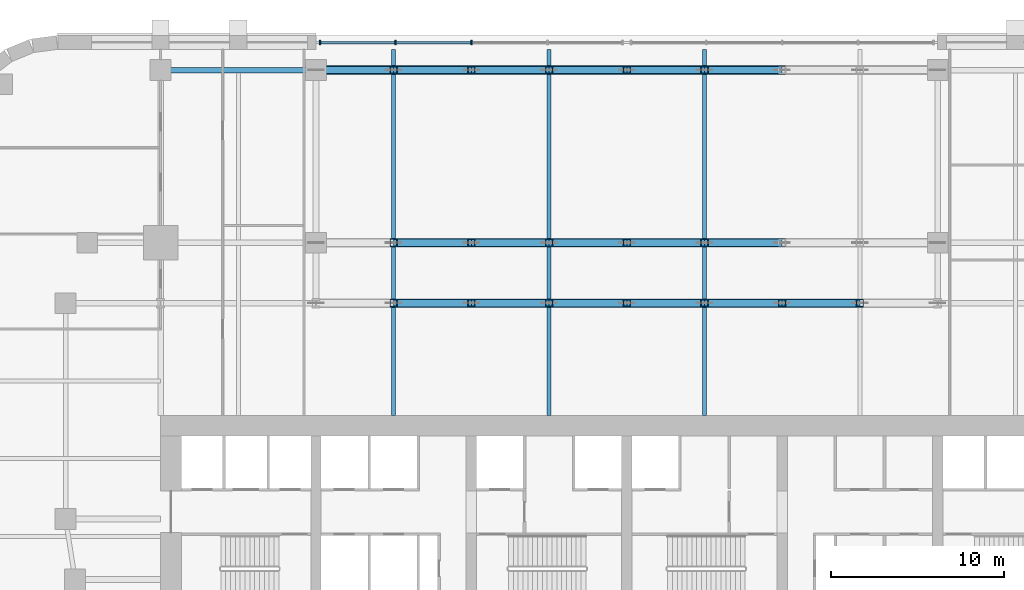
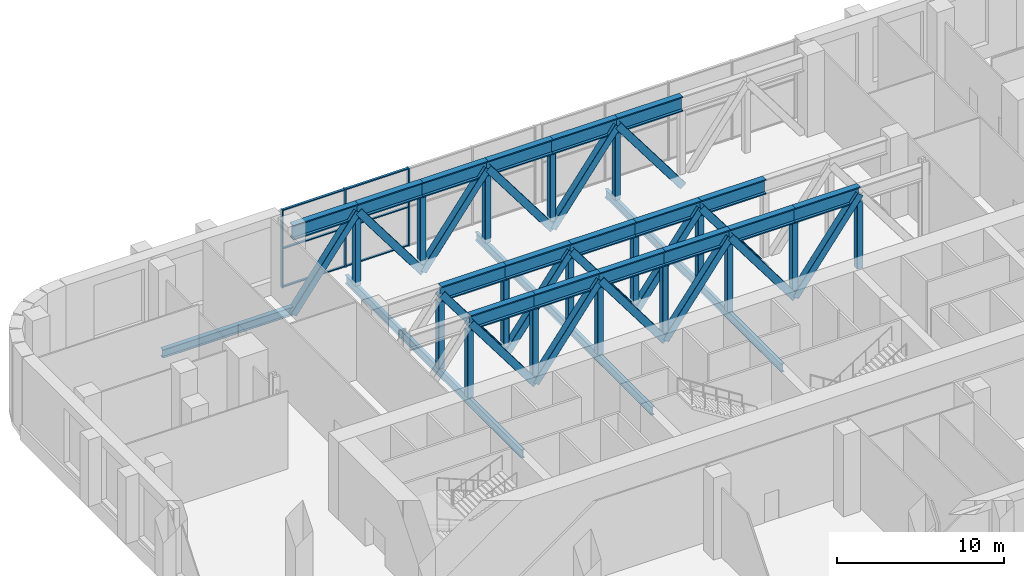
# One storey, part 2 of 13: 60 members, 4 beams, 1 element without a shape of its own.
"""IFC4 building model written with IfcOpenShell, lengths in metres."""

from ifc_helpers import new_model, si_unit, direction, frame, origin, origin_2d, place, context, subcontext, project, spatial, rectangle, hollow_rectangle, i_section, extrude, material, material_profile, profile_set, type_object, element, aggregate, save


model = new_model("IFC4")

# Units and contexts
model_context = context("Model", 3, precision=1e-05, world=origin(), true_north=direction((0.0, 1.0)))
body_context = subcontext(model_context, "Body", "Model", "MODEL_VIEW")
ifc_project = project(units=[si_unit("LENGTHUNIT", "METRE"), si_unit("AREAUNIT", "SQUARE_METRE"), si_unit("VOLUMEUNIT", "CUBIC_METRE"), si_unit("PLANEANGLEUNIT", "RADIAN"), si_unit("MASSUNIT", "GRAM", prefix="KILO")], contexts=[model_context])

# Site, building, storey
site_placement = place(None, origin())
site = spatial("IfcSite", under=ifc_project, at=site_placement, CompositionType="ELEMENT")
building_placement = place(site_placement, origin())
building = spatial("IfcBuilding", under=site, at=building_placement, Name="Zellij Exchange Tower", CompositionType="ELEMENT")
storey_placement = place(building_placement, frame((0.0, 0.0, 27.0)))
storey = spatial("IfcBuildingStorey", under=building, at=storey_placement, Name="L04", CompositionType="ELEMENT", Elevation=27.0)

# Curtain wall, members
ifc_material_1 = material(Name="Aluminium frame, clear insulating glass", Category="aluminium")
curtain_wall_type = type_object("IfcCurtainWallType", Name="ENV-CW3 Exchange-hall glazing", PredefinedType="NOTDEFINED", material=ifc_material_1)
curtain_wall_placement = place(storey_placement, origin())
curtain_wall = element("IfcCurtainWall", 1, at=curtain_wall_placement, inside=storey, type_object=curtain_wall_type, Name="cw.L04.14c", PredefinedType="NOTDEFINED")
ifc_material_2 = material(Name="Aluminium", Category="aluminium")
ifc_material_profile_1 = material_profile(ifc_material_2, rectangle(XDim=0.080078125, YDim=0.25, at=origin_2d()), Name="AL 80x250")
ifc_profile_set_1 = profile_set([ifc_material_profile_1], Name="Aluminium")
member_type_1 = type_object("IfcMemberType", Name="ENV-CW3M Mullion 80x250", PredefinedType="MULLION", material=ifc_profile_set_1)
member_1_placement = place(storey_placement, frame((-9.0, 19.60009765625, 0.0), z_axis=(0.0, 0.0, 1.0), x_axis=(-1.0, 0.0, 0.0)))
member_1 = element("IfcMember", 2, at=member_1_placement, type_object=member_type_1, Name="CW3 mullion 3", PredefinedType="MULLION", context=body_context, shape_type="SweptSolid", body=[
    extrude(rectangle(XDim=0.080078125, YDim=0.25, at=origin_2d()), origin(), (0.0, 0.0, 1.0), 5.699951171875),
])
member_2_placement = place(storey_placement, frame((-13.39990234375, 19.60009765625, 0.0), z_axis=(0.0, 0.0, 1.0), x_axis=(-1.0, 0.0, 0.0)))
member_2 = element("IfcMember", 3, at=member_2_placement, type_object=member_type_1, Name="CW3 mullion 4", PredefinedType="MULLION", context=body_context, shape_type="SweptSolid", body=[
    extrude(rectangle(XDim=0.080078125, YDim=0.25, at=origin_2d()), origin(), (0.0, 0.0, 1.0), 5.699951171875),
])
member_3_placement = place(storey_placement, frame((-17.760009765625, 19.60009765625, 0.0), z_axis=(0.0, 0.0, 1.0), x_axis=(-1.0, 0.0, 0.0)))
member_3 = element("IfcMember", 4, at=member_3_placement, type_object=member_type_1, Name="CW3 mullion 5", PredefinedType="MULLION", context=body_context, shape_type="SweptSolid", body=[
    extrude(rectangle(XDim=0.080078125, YDim=0.25, at=origin_2d()), origin(), (0.0, 0.0, 1.0), 5.699951171875),
])
ifc_material_profile_2 = material_profile(ifc_material_2, rectangle(XDim=0.159912109375, YDim=0.080078125, at=origin_2d()), Name="AL 160x80")
ifc_profile_set_2 = profile_set([ifc_material_profile_2], Name="Aluminium")
member_type_2 = type_object("IfcMemberType", Name="ENV-CW3T Transom 160x80", PredefinedType="USERDEFINED", material=ifc_profile_set_2)
member_4_placement = place(storey_placement, frame((-9.0400390625, 19.60009765625, 0.0400390625), z_axis=(-1.0, 0.0, 0.0), x_axis=(0.0, -1.0, 0.0)))
member_4 = element("IfcMember", 5, at=member_4_placement, type_object=member_type_2, Name="CW3 transom 3.1", ObjectType="TRANSOM", PredefinedType="USERDEFINED", context=body_context, shape_type="SweptSolid", body=[
    extrude(rectangle(XDim=0.159912109375, YDim=0.080078125, at=origin_2d()), origin(), (0.0, 0.0, 1.0), 4.320068359375),
])
member_5_placement = place(storey_placement, frame((-9.0400390625, 19.60009765625, 2.85009765625), z_axis=(-1.0, 0.0, 0.0), x_axis=(0.0, -1.0, 0.0)))
member_5 = element("IfcMember", 6, at=member_5_placement, type_object=member_type_2, Name="CW3 transom 3.2", ObjectType="TRANSOM", PredefinedType="USERDEFINED", context=body_context, shape_type="SweptSolid", body=[
    extrude(rectangle(XDim=0.159912109375, YDim=0.080078125, at=origin_2d()), origin(), (0.0, 0.0, 1.0), 4.320068359375),
])
member_6_placement = place(storey_placement, frame((-9.0400390625, 19.60009765625, 5.659912109375), z_axis=(-1.0, 0.0, 0.0), x_axis=(0.0, -1.0, 0.0)))
member_6 = element("IfcMember", 7, at=member_6_placement, type_object=member_type_2, Name="CW3 transom 3.3", ObjectType="TRANSOM", PredefinedType="USERDEFINED", context=body_context, shape_type="SweptSolid", body=[
    extrude(rectangle(XDim=0.159912109375, YDim=0.080078125, at=origin_2d()), origin(), (0.0, 0.0, 1.0), 4.320068359375),
])
member_7_placement = place(storey_placement, frame((-13.43994140625, 19.60009765625, 0.0400390625), z_axis=(-1.0, 0.0, 0.0), x_axis=(0.0, -1.0, 0.0)))
member_7 = element("IfcMember", 8, at=member_7_placement, type_object=member_type_2, Name="CW3 transom 4.1", ObjectType="TRANSOM", PredefinedType="USERDEFINED", context=body_context, shape_type="SweptSolid", body=[
    extrude(rectangle(XDim=0.159912109375, YDim=0.080078125, at=origin_2d()), origin(), (0.0, 0.0, 1.0), 4.280029296875),
])
member_8_placement = place(storey_placement, frame((-13.43994140625, 19.60009765625, 2.85009765625), z_axis=(-1.0, 0.0, 0.0), x_axis=(0.0, -1.0, 0.0)))
member_8 = element("IfcMember", 9, at=member_8_placement, type_object=member_type_2, Name="CW3 transom 4.2", ObjectType="TRANSOM", PredefinedType="USERDEFINED", context=body_context, shape_type="SweptSolid", body=[
    extrude(rectangle(XDim=0.159912109375, YDim=0.080078125, at=origin_2d()), origin(), (0.0, 0.0, 1.0), 4.280029296875),
])
member_9_placement = place(storey_placement, frame((-13.43994140625, 19.60009765625, 5.659912109375), z_axis=(-1.0, 0.0, 0.0), x_axis=(0.0, -1.0, 0.0)))
member_9 = element("IfcMember", 10, at=member_9_placement, type_object=member_type_2, Name="CW3 transom 4.3", ObjectType="TRANSOM", PredefinedType="USERDEFINED", context=body_context, shape_type="SweptSolid", body=[
    extrude(rectangle(XDim=0.159912109375, YDim=0.080078125, at=origin_2d()), origin(), (0.0, 0.0, 1.0), 4.280029296875),
])
aggregate(curtain_wall, [member_1, member_2, member_3, member_4, member_5, member_6, member_7, member_8, member_9])

# Beams
ifc_material_3 = material(Name="Structural steel ASTM A992 Gr 50", Category="steel")
ifc_material_profile_3 = material_profile(ifc_material_3, i_section(OverallWidth=0.22900390625, OverallDepth=0.612060546875, WebThickness=0.011962890625, FlangeThickness=0.01953125, at=origin_2d()), Name="W24x84")
ifc_profile_set_3 = profile_set([ifc_material_profile_3], Name="Structural steel ASTM A992 Gr 50")
beam_type_1 = type_object("IfcBeamType", Name="STR-BEAM W24x84", PredefinedType="BEAM", material=ifc_profile_set_3)
for number, where, z_axis, x_axis, name in (
    (11, (-13.5, -2.0, -0.606201171875), (0.0, 1.0, 0.0), (-1.0, 0.0, 0.0), "B6"),
    (12, (-4.5, -2.0, -0.606201171875), (0.0, 1.0, 0.0), (-1.0, 0.0, 0.0), "B6"),
    (13, (4.5, -2.0, -0.606201171875), (0.0, 1.0, 0.0), (-1.0, 0.0, 0.0), "B6"),
):
    element("IfcBeam", number, at=place(storey_placement, frame(where, z_axis=z_axis, x_axis=x_axis)), inside=storey, type_object=beam_type_1, Name=name, PredefinedType="BEAM", context=body_context, shape_type="SweptSolid", body=[
        extrude(i_section(OverallWidth=0.22900390625, OverallDepth=0.612060546875, WebThickness=0.011962890625, FlangeThickness=0.01953125, at=origin_2d()), origin(), (0.0, 0.0, 1.0), 21.199951171875),
    ])
ifc_material_profile_4 = material_profile(ifc_material_3, i_section(OverallWidth=0.3251953125, OverallDepth=0.612060546875, WebThickness=0.0126953125, FlangeThickness=0.01904296875, at=origin_2d()), Name="W24x104")
ifc_profile_set_4 = profile_set([ifc_material_profile_4], Name="Structural steel ASTM A992 Gr 50")
beam_type_2 = type_object("IfcBeamType", Name="STR-GIRDER W24x104", PredefinedType="BEAM", material=ifc_profile_set_4)
beam_placement = place(storey_placement, frame((-27.0, 18.0, -0.606201171875), z_axis=(1.0, 0.0, 0.0), x_axis=(0.0, 1.0, 0.0)))
element("IfcBeam", 14, at=beam_placement, inside=storey, type_object=beam_type_2, Name="G3", PredefinedType="BEAM", context=body_context, shape_type="SweptSolid", body=[
    extrude(i_section(OverallWidth=0.3251953125, OverallDepth=0.612060546875, WebThickness=0.0126953125, FlangeThickness=0.01904296875, at=origin_2d()), origin(), (0.0, 0.0, 1.0), 9.0),
])

# Members
ifc_material_4 = material(Name="Structural steel ASTM A913 Gr 65", Category="steel")
ifc_material_profile_5 = material_profile(ifc_material_4, i_section(OverallWidth=0.424072265625, OverallDepth=1.09228515625, WebThickness=0.04541015625, FlangeThickness=0.08203125, at=origin_2d()), Name="W40x593")
ifc_profile_set_5 = profile_set([ifc_material_profile_5], Name="Structural steel ASTM A913 Gr 65")
member_type_3 = type_object("IfcMemberType", Name="STR-PODIUM TRANSFER TRUSS CHORD W40x593", PredefinedType="CHORD", material=ifc_profile_set_5)
for number, where, z_axis, x_axis, name in (
    (15, (-13.5, 4.5, 5.15380859375), (1.0, 0.0, 0.0), (0.0, 1.0, 0.0), "PT1"),
    (16, (-9.0, 4.5, 5.15380859375), (1.0, 0.0, 0.0), (0.0, 1.0, 0.0), "PT1"),
    (17, (-4.5, 4.5, 5.15380859375), (1.0, 0.0, 0.0), (0.0, 1.0, 0.0), "PT1"),
    (18, (0.0, 4.5, 5.15380859375), (1.0, 0.0, 0.0), (0.0, 1.0, 0.0), "PT1"),
    (19, (4.5, 4.5, 5.15380859375), (1.0, 0.0, 0.0), (0.0, 1.0, 0.0), "PT1"),
    (20, (9.0, 4.5, 5.15380859375), (1.0, 0.0, 0.0), (0.0, 1.0, 0.0), "PT1"),
    (21, (-13.5, 8.0, 5.15380859375), (1.0, 0.0, 0.0), (0.0, 1.0, 0.0), "PT1"),
    (22, (-9.0, 8.0, 5.15380859375), (1.0, 0.0, 0.0), (0.0, 1.0, 0.0), "PT1"),
    (23, (-4.5, 8.0, 5.15380859375), (1.0, 0.0, 0.0), (0.0, 1.0, 0.0), "PT1"),
    (24, (0.0, 8.0, 5.15380859375), (1.0, 0.0, 0.0), (0.0, 1.0, 0.0), "PT1"),
    (25, (4.5, 8.0, 5.15380859375), (1.0, 0.0, 0.0), (0.0, 1.0, 0.0), "PT1"),
    (26, (-18.0, 18.0, 5.15380859375), (1.0, 0.0, 0.0), (0.0, 1.0, 0.0), "PT1"),
    (27, (-13.5, 18.0, 5.15380859375), (1.0, 0.0, 0.0), (0.0, 1.0, 0.0), "PT1"),
    (28, (-9.0, 18.0, 5.15380859375), (1.0, 0.0, 0.0), (0.0, 1.0, 0.0), "PT1"),
    (29, (-4.5, 18.0, 5.15380859375), (1.0, 0.0, 0.0), (0.0, 1.0, 0.0), "PT1"),
    (30, (0.0, 18.0, 5.15380859375), (1.0, 0.0, 0.0), (0.0, 1.0, 0.0), "PT1"),
    (31, (4.5, 18.0, 5.15380859375), (1.0, 0.0, 0.0), (0.0, 1.0, 0.0), "PT1"),
):
    element("IfcMember", number, at=place(storey_placement, frame(where, z_axis=z_axis, x_axis=x_axis)), inside=storey, type_object=member_type_3, Name=name, PredefinedType="CHORD", context=body_context, shape_type="SweptSolid", body=[
        extrude(i_section(OverallWidth=0.424072265625, OverallDepth=1.09228515625, WebThickness=0.04541015625, FlangeThickness=0.08203125, at=origin_2d()), origin(), (0.0, 0.0, 1.0), 4.5),
    ])
ifc_material_5 = material(Name="Structural steel ASTM A500 Gr C", Category="steel")
ifc_material_profile_6 = material_profile(ifc_material_5, hollow_rectangle(XDim=0.508056640625, YDim=0.508056640625, WallThickness=0.0146484375, InnerFilletRadius=0.0146484375, OuterFilletRadius=0.029541015625, at=origin_2d()), Name="STR-PODIUM TRANSFER TRUSS DIAGONAL HSS20x20x5/8")
ifc_profile_set_6 = profile_set([ifc_material_profile_6], Name="Structural steel ASTM A500 Gr C")
member_type_4 = type_object("IfcMemberType", Name="STR-PODIUM TRANSFER TRUSS DIAGONAL HSS20x20x5/8", PredefinedType="BRACE", material=ifc_profile_set_6)
for number, where, z_axis, x_axis, name in (
    (32, (-13.5, 4.5, 5.15380859375), (0.6, 0.0, -0.8), (0.0, 1.0, 0.0), "PT2"),
    (33, (-9.0, 4.5, -0.84619140625), (0.6, 0.0, 0.8), (0.0, 1.0, 0.0), "PT2"),
    (34, (-4.5, 4.5, 5.15380859375), (0.6, 0.0, -0.8), (0.0, 1.0, 0.0), "PT2"),
    (35, (0.0, 4.5, -0.84619140625), (0.6, 0.0, 0.8), (0.0, 1.0, 0.0), "PT2"),
    (36, (4.5, 4.5, 5.15380859375), (0.6, 0.0, -0.8), (0.0, 1.0, 0.0), "PT2"),
    (37, (9.0, 4.5, -0.84619140625), (0.6, 0.0, 0.8), (0.0, 1.0, 0.0), "PT2"),
    (38, (-13.5, 8.0, 5.15380859375), (0.6, 0.0, -0.8), (0.0, 1.0, 0.0), "PT2"),
    (39, (-9.0, 8.0, -0.84619140625), (0.6, 0.0, 0.8), (0.0, 1.0, 0.0), "PT2"),
    (40, (-4.5, 8.0, 5.15380859375), (0.6, 0.0, -0.8), (0.0, 1.0, 0.0), "PT2"),
    (41, (0.0, 8.0, -0.84619140625), (0.6, 0.0, 0.8), (0.0, 1.0, 0.0), "PT2"),
    (42, (4.5, 8.0, 5.15380859375), (0.6, 0.0, -0.8), (0.0, 1.0, 0.0), "PT2"),
    (43, (-18.0, 18.0, -0.84619140625), (0.6, 0.0, 0.8), (0.0, 1.0, 0.0), "PT2"),
    (44, (-13.5, 18.0, 5.15380859375), (0.6, 0.0, -0.8), (0.0, 1.0, 0.0), "PT2"),
    (45, (-9.0, 18.0, -0.84619140625), (0.6, 0.0, 0.8), (0.0, 1.0, 0.0), "PT2"),
    (46, (-4.5, 18.0, 5.15380859375), (0.6, 0.0, -0.8), (0.0, 1.0, 0.0), "PT2"),
    (47, (0.0, 18.0, -0.84619140625), (0.6, 0.0, 0.8), (0.0, 1.0, 0.0), "PT2"),
    (48, (4.5, 18.0, 5.15380859375), (0.6, 0.0, -0.8), (0.0, 1.0, 0.0), "PT2"),
):
    element("IfcMember", number, at=place(storey_placement, frame(where, z_axis=z_axis, x_axis=x_axis)), inside=storey, type_object=member_type_4, Name=name, PredefinedType="BRACE", context=body_context, shape_type="SweptSolid", body=[
        extrude(hollow_rectangle(XDim=0.508056640625, YDim=0.508056640625, WallThickness=0.0146484375, InnerFilletRadius=0.0146484375, OuterFilletRadius=0.029541015625, at=origin_2d()), origin(), (0.0, 0.0, 1.0), 7.5),
    ])
ifc_material_profile_7 = material_profile(ifc_material_5, hollow_rectangle(XDim=0.406494140625, YDim=0.406494140625, WallThickness=0.0146484375, InnerFilletRadius=0.0146484375, OuterFilletRadius=0.029541015625, at=origin_2d()), Name="STR-PODIUM TRANSFER TRUSS POST HSS16x16x5/8")
ifc_profile_set_7 = profile_set([ifc_material_profile_7], Name="Structural steel ASTM A500 Gr C")
member_type_5 = type_object("IfcMemberType", Name="STR-PODIUM TRANSFER TRUSS POST HSS16x16x5/8", PredefinedType="POST", material=ifc_profile_set_7)
for number, where, z_axis, x_axis, name in (
    (49, (-13.5, 4.5, -0.300048828125), (0.0, 0.0, 1.0), (1.0, 0.0, 0.0), "PT3"),
    (50, (-9.0, 4.5, -0.300048828125), (0.0, 0.0, 1.0), (1.0, 0.0, 0.0), "PT3"),
    (51, (-4.5, 4.5, -0.300048828125), (0.0, 0.0, 1.0), (1.0, 0.0, 0.0), "PT3"),
    (52, (0.0, 4.5, -0.300048828125), (0.0, 0.0, 1.0), (1.0, 0.0, 0.0), "PT3"),
    (53, (4.5, 4.5, -0.300048828125), (0.0, 0.0, 1.0), (1.0, 0.0, 0.0), "PT3"),
    (54, (9.0, 4.5, -0.300048828125), (0.0, 0.0, 1.0), (1.0, 0.0, 0.0), "PT3"),
    (55, (13.5, 4.5, -0.300048828125), (0.0, 0.0, 1.0), (1.0, 0.0, 0.0), "PT3"),
    (56, (-13.5, 8.0, -0.300048828125), (0.0, 0.0, 1.0), (1.0, 0.0, 0.0), "PT3"),
    (57, (-9.0, 8.0, -0.300048828125), (0.0, 0.0, 1.0), (1.0, 0.0, 0.0), "PT3"),
    (58, (-4.5, 8.0, -0.300048828125), (0.0, 0.0, 1.0), (1.0, 0.0, 0.0), "PT3"),
    (59, (0.0, 8.0, -0.300048828125), (0.0, 0.0, 1.0), (1.0, 0.0, 0.0), "PT3"),
    (60, (4.5, 8.0, -0.300048828125), (0.0, 0.0, 1.0), (1.0, 0.0, 0.0), "PT3"),
    (61, (-13.5, 18.0, -0.300048828125), (0.0, 0.0, 1.0), (1.0, 0.0, 0.0), "PT3"),
    (62, (-9.0, 18.0, -0.300048828125), (0.0, 0.0, 1.0), (1.0, 0.0, 0.0), "PT3"),
    (63, (-4.5, 18.0, -0.300048828125), (0.0, 0.0, 1.0), (1.0, 0.0, 0.0), "PT3"),
    (64, (0.0, 18.0, -0.300048828125), (0.0, 0.0, 1.0), (1.0, 0.0, 0.0), "PT3"),
    (65, (4.5, 18.0, -0.300048828125), (0.0, 0.0, 1.0), (1.0, 0.0, 0.0), "PT3"),
):
    element("IfcMember", number, at=place(storey_placement, frame(where, z_axis=z_axis, x_axis=x_axis)), inside=storey, type_object=member_type_5, Name=name, PredefinedType="POST", context=body_context, shape_type="SweptSolid", body=[
        extrude(hollow_rectangle(XDim=0.406494140625, YDim=0.406494140625, WallThickness=0.0146484375, InnerFilletRadius=0.0146484375, OuterFilletRadius=0.029541015625, at=origin_2d()), origin(), (0.0, 0.0, 1.0), 4.907958984375),
    ])

save(model, "model.ifc")
